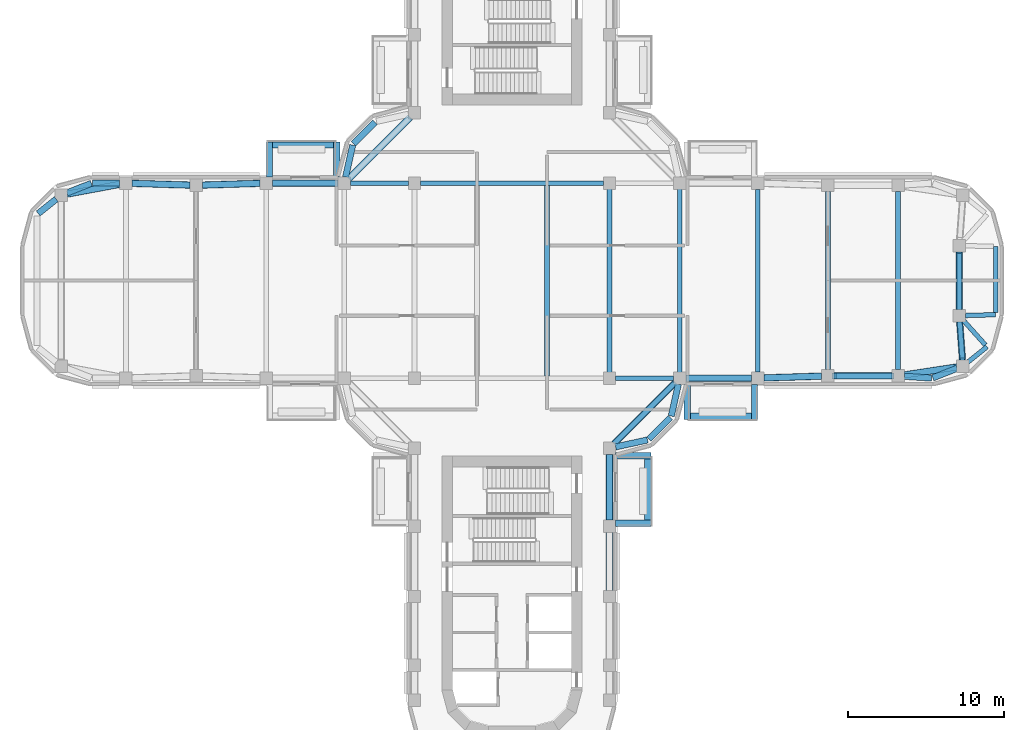
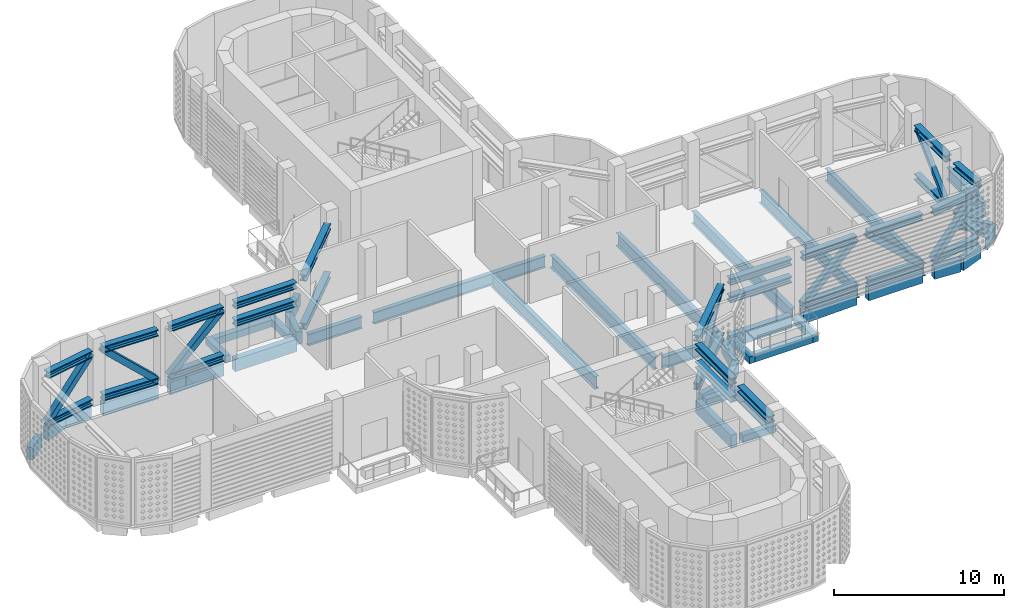
# One storey, part 2 of 21: 39 beams, 36 members.
"""IFC4 building model written with IfcOpenShell, lengths in metres."""

from ifc_helpers import new_model, si_unit, direction, frame, origin, origin_2d, place, context, subcontext, project, spatial, rectangle, hollow_rectangle, i_section, extrude, material, material_profile, profile_set, type_object, element, save


model = new_model("IFC4")

# Units and contexts
model_context = context("Model", 3, precision=1e-05, world=origin(), true_north=direction((0.0, 1.0)))
body_context = subcontext(model_context, "Body", "Model", "MODEL_VIEW")
ifc_project = project(units=[si_unit("LENGTHUNIT", "METRE"), si_unit("AREAUNIT", "SQUARE_METRE"), si_unit("VOLUMEUNIT", "CUBIC_METRE"), si_unit("PLANEANGLEUNIT", "RADIAN"), si_unit("MASSUNIT", "GRAM", prefix="KILO")], contexts=[model_context])

# Site, building, storey
site_placement = place(None, origin())
site = spatial("IfcSite", under=ifc_project, at=site_placement, CompositionType="ELEMENT")
building_placement = place(site_placement, origin())
building = spatial("IfcBuilding", under=site, at=building_placement, Name="Zarbagh Exchange Tower", CompositionType="ELEMENT")
storey_placement = place(building_placement, frame((0.0, 0.0, 190.39990234375)))
storey = spatial("IfcBuildingStorey", under=building, at=storey_placement, Name="L46", CompositionType="ELEMENT", Elevation=190.39990234375)

# Members
ifc_material_1 = material(Name="Steel ASTM A992 Gr 50", Category="steel")
ifc_material_profile_1 = material_profile(ifc_material_1, i_section(OverallWidth=0.41650390625, OverallDepth=0.444580078125, WebThickness=0.0390625, FlangeThickness=0.062744140625, at=origin_2d()), Name="W14X342")
ifc_profile_set_1 = profile_set([ifc_material_profile_1], Name="Steel ASTM A992 Gr 50")
member_type_1 = type_object("IfcMemberType", Name="Belt truss chord W14X342", PredefinedType="CHORD", material=ifc_profile_set_1)
for number, where, z_axis, x_axis, name in (
    (1, (-10.46728515625, 6.53271484375, 0.222412109375), (0.707106781187, 0.707106781187, 0.0), (-0.707106781187, 0.707106781187, 0.0), "Belt truss chord"),
    (2, (-10.46728515625, 6.53271484375, 3.7080078125), (0.707106781187, 0.707106781187, 0.0), (-0.707106781187, 0.707106781187, 0.0), "Belt truss chord"),
):
    element("IfcMember", number, at=place(storey_placement, frame(where, z_axis=z_axis, x_axis=x_axis)), inside=storey, type_object=member_type_1, Name=name, PredefinedType="CHORD", context=body_context, shape_type="SweptSolid", body=[
        extrude(i_section(OverallWidth=0.41650390625, OverallDepth=0.444580078125, WebThickness=0.0390625, FlangeThickness=0.062744140625, at=origin_2d()), origin(), (0.0, 0.0, 1.0), 5.564208984375),
    ])
for number, where, z_axis, x_axis, name in (
    (3, (28.669921875, 1.85009765625, 0.222412109375), (0.0, -1.0, 0.0), (1.0, 0.0, 0.0), "Belt truss chord"),
    (4, (28.669921875, 1.85009765625, 3.7080078125), (0.0, -1.0, 0.0), (1.0, 0.0, 0.0), "Belt truss chord"),
):
    element("IfcMember", number, at=place(storey_placement, frame(where, z_axis=z_axis, x_axis=x_axis)), inside=storey, type_object=member_type_1, Name=name, PredefinedType="CHORD", context=body_context, shape_type="SweptSolid", body=[
        extrude(i_section(OverallWidth=0.41650390625, OverallDepth=0.444580078125, WebThickness=0.0390625, FlangeThickness=0.062744140625, at=origin_2d()), origin(), (0.0, 0.0, 1.0), 3.7001953125),
    ])
for number, where, z_axis, x_axis, name in (
    (5, (28.699462890625, -2.64892578125, 0.222412109375), (0.073627818238, -0.997285788719, 0.0), (0.997285788719, 0.073627818238, 0.0), "Belt truss chord"),
    (6, (28.699462890625, -2.64892578125, 3.7080078125), (0.073627818238, -0.997285788719, 0.0), (0.997285788719, 0.073627818238, 0.0), "Belt truss chord"),
):
    element("IfcMember", number, at=place(storey_placement, frame(where, z_axis=z_axis, x_axis=x_axis)), inside=storey, type_object=member_type_1, Name=name, PredefinedType="CHORD", context=body_context, shape_type="SweptSolid", body=[
        extrude(i_section(OverallWidth=0.41650390625, OverallDepth=0.444580078125, WebThickness=0.0390625, FlangeThickness=0.062744140625, at=origin_2d()), origin(), (0.0, 0.0, 1.0), 2.433837890625),
    ])
for number, where, z_axis, x_axis, name in (
    (7, (10.46728515625, -6.53271484375, 0.222412109375), (-0.707106781187, -0.707106781187, 0.0), (0.707106781187, -0.707106781187, 0.0), "Belt truss chord"),
    (8, (10.46728515625, -6.53271484375, 3.7080078125), (-0.707106781187, -0.707106781187, 0.0), (0.707106781187, -0.707106781187, 0.0), "Belt truss chord"),
):
    element("IfcMember", number, at=place(storey_placement, frame(where, z_axis=z_axis, x_axis=x_axis)), inside=storey, type_object=member_type_1, Name=name, PredefinedType="CHORD", context=body_context, shape_type="SweptSolid", body=[
        extrude(i_section(OverallWidth=0.41650390625, OverallDepth=0.444580078125, WebThickness=0.0390625, FlangeThickness=0.062744140625, at=origin_2d()), origin(), (0.0, 0.0, 1.0), 5.564208984375),
    ])
ifc_material_2 = material(Name="Steel ASTM A500 Gr C", Category="steel")
ifc_material_profile_2 = material_profile(ifc_material_2, hollow_rectangle(XDim=0.3046875, YDim=0.3046875, WallThickness=0.014892578125, at=origin_2d()), Name="HSS12X12X5/8")
ifc_profile_set_2 = profile_set([ifc_material_profile_2], Name="Steel ASTM A500 Gr C")
member_type_2 = type_object("IfcMemberType", Name="Belt truss diagonal HSS12X12X5/8", PredefinedType="BRACE", material=ifc_profile_set_2)
member_1_placement = place(storey_placement, frame((28.669921875, -1.85009765625, 0.222412109375), z_axis=(0.0, 0.72789959883, 0.685683727401), x_axis=(-1.0, 0.0, 0.0)))
element("IfcMember", 9, at=member_1_placement, inside=storey, type_object=member_type_2, Name="Belt truss diagonal", PredefinedType="BRACE", context=body_context, shape_type="SweptSolid", body=[
    extrude(hollow_rectangle(XDim=0.3046875, YDim=0.3046875, WallThickness=0.014892578125, at=origin_2d()), origin(), (0.0, 0.0, 1.0), 5.08349609375),
])
member_2_placement = place(storey_placement, frame((28.699462890625, -2.64892578125, 0.222412109375), z_axis=(0.042152256381, -0.57095058984, 0.819901586316), x_axis=(0.997285788719, 0.073627818238, 0.0)))
element("IfcMember", 10, at=member_2_placement, inside=storey, type_object=member_type_2, Name="Belt truss diagonal", PredefinedType="BRACE", context=body_context, shape_type="SweptSolid", body=[
    extrude(hollow_rectangle(XDim=0.3046875, YDim=0.3046875, WallThickness=0.014892578125, at=origin_2d()), origin(), (0.0, 0.0, 1.0), 4.251220703125),
])
member_3_placement = place(storey_placement, frame((6.53271484375, -10.46728515625, 0.222412109375), z_axis=(0.599242955727, 0.599242955727, 0.530863221576), x_axis=(-0.707106781187, 0.707106781187, 0.0)))
element("IfcMember", 11, at=member_3_placement, inside=storey, type_object=member_type_2, Name="Belt truss diagonal", PredefinedType="BRACE", context=body_context, shape_type="SweptSolid", body=[
    extrude(hollow_rectangle(XDim=0.3046875, YDim=0.3046875, WallThickness=0.014892578125, at=origin_2d()), origin(), (0.0, 0.0, 1.0), 6.56591796875),
])

# Beams
ifc_material_profile_3 = material_profile(ifc_material_1, i_section(OverallWidth=0.3046875, OverallDepth=0.904296875, WebThickness=0.01513671875, FlangeThickness=0.02001953125, at=origin_2d()), Name="W36X135")
ifc_profile_set_3 = profile_set([ifc_material_profile_3], Name="Steel ASTM A992 Gr 50")
beam_type_1 = type_object("IfcBeamType", Name="Floor beam W36X135", PredefinedType="BEAM", material=ifc_profile_set_3)
for number, where, z_axis, x_axis, name in (
    (12, (2.25, -6.10400390625, -0.60205078125), (0.0, 1.0, 0.0), (-1.0, 0.0, 0.0), "Steel floor beam"),
    (13, (6.25, -6.10400390625, -0.60205078125), (0.0, 1.0, 0.0), (-1.0, 0.0, 0.0), "Steel floor beam"),
    (14, (10.75, -6.10400390625, -0.60205078125), (0.0, 1.0, 0.0), (-1.0, 0.0, 0.0), "Steel floor beam"),
):
    element("IfcBeam", number, at=place(storey_placement, frame(where, z_axis=z_axis, x_axis=x_axis)), inside=storey, type_object=beam_type_1, Name=name, PredefinedType="BEAM", context=body_context, shape_type="SweptSolid", body=[
        extrude(i_section(OverallWidth=0.3046875, OverallDepth=0.904296875, WebThickness=0.01513671875, FlangeThickness=0.02001953125, at=origin_2d()), origin(), (0.0, 0.0, 1.0), 12.2080078125),
    ])
beam_1_placement = place(storey_placement, frame((15.75, -5.85009765625, -0.60205078125), z_axis=(0.0, 1.0, 0.0), x_axis=(-1.0, 0.0, 0.0)))
element("IfcBeam", 15, at=beam_1_placement, inside=storey, type_object=beam_type_1, Name="Steel floor beam", PredefinedType="BEAM", context=body_context, shape_type="SweptSolid", body=[
    extrude(i_section(OverallWidth=0.3046875, OverallDepth=0.904296875, WebThickness=0.01513671875, FlangeThickness=0.02001953125, at=origin_2d()), origin(), (0.0, 0.0, 1.0), 11.7001953125),
])
for number, where, z_axis, x_axis, name in (
    (16, (20.25, -5.7099609375, -0.60205078125), (0.0, 1.0, 0.0), (-1.0, 0.0, 0.0), "Steel floor beam"),
    (17, (24.75, -5.7099609375, -0.60205078125), (0.0, 1.0, 0.0), (-1.0, 0.0, 0.0), "Steel floor beam"),
):
    element("IfcBeam", number, at=place(storey_placement, frame(where, z_axis=z_axis, x_axis=x_axis)), inside=storey, type_object=beam_type_1, Name=name, PredefinedType="BEAM", context=body_context, shape_type="SweptSolid", body=[
        extrude(i_section(OverallWidth=0.3046875, OverallDepth=0.904296875, WebThickness=0.01513671875, FlangeThickness=0.02001953125, at=origin_2d()), origin(), (0.0, 0.0, 1.0), 11.419921875),
    ])
ifc_material_profile_4 = material_profile(ifc_material_1, i_section(OverallWidth=0.2919921875, OverallDepth=0.835693359375, WebThickness=0.013916015625, FlangeThickness=0.018798828125, at=origin_2d()), Name="W33X118")
ifc_profile_set_4 = profile_set([ifc_material_profile_4], Name="Steel ASTM A992 Gr 50")
beam_type_2 = type_object("IfcBeamType", Name="Floor girder W33X118", PredefinedType="BEAM", material=ifc_profile_set_4)
beam_2_placement = place(storey_placement, frame((31.0, 2.18408203125, -0.567626953125), z_axis=(0.0, -1.0, 0.0), x_axis=(1.0, 0.0, 0.0)))
element("IfcBeam", 18, at=beam_2_placement, inside=storey, type_object=beam_type_2, Name="Steel girder", PredefinedType="BEAM", context=body_context, shape_type="SweptSolid", body=[
    extrude(i_section(OverallWidth=0.2919921875, OverallDepth=0.835693359375, WebThickness=0.013916015625, FlangeThickness=0.018798828125, at=origin_2d()), origin(), (0.0, 0.0, 1.0), 4.226318359375),
])
beam_3_placement = place(storey_placement, frame((31.0, -2.18408203125, -0.567626953125), z_axis=(-0.999598864551, -0.028321546377, 0.0), x_axis=(0.028321546377, -0.999598864551, 0.0)))
element("IfcBeam", 19, at=beam_3_placement, inside=storey, type_object=beam_type_2, Name="Steel girder", PredefinedType="BEAM", context=body_context, shape_type="SweptSolid", body=[
    extrude(i_section(OverallWidth=0.2919921875, OverallDepth=0.835693359375, WebThickness=0.013916015625, FlangeThickness=0.018798828125, at=origin_2d()), origin(), (0.0, 0.0, 1.0), 1.930908203125),
])
beam_4_placement = place(storey_placement, frame((28.9365234375, -2.54833984375, -0.567626953125), z_axis=(0.666238158503, -0.745739040251, 0.0), x_axis=(0.745739040251, 0.666238158503, 0.0)))
element("IfcBeam", 20, at=beam_4_placement, inside=storey, type_object=beam_type_2, Name="Steel girder", PredefinedType="BEAM", context=body_context, shape_type="SweptSolid", body=[
    extrude(i_section(OverallWidth=0.2919921875, OverallDepth=0.835693359375, WebThickness=0.013916015625, FlangeThickness=0.018798828125, at=origin_2d()), origin(), (0.0, 0.0, 1.0), 2.115966796875),
])
beam_5_placement = place(storey_placement, frame((30.44873046875, -4.2412109375, -0.567626953125), z_axis=(-0.780535770033, -0.625111119482, 0.0), x_axis=(0.625111119482, -0.780535770033, 0.0)))
element("IfcBeam", 21, at=beam_5_placement, inside=storey, type_object=beam_type_2, Name="Steel girder", PredefinedType="BEAM", context=body_context, shape_type="SweptSolid", body=[
    extrude(i_section(OverallWidth=0.2919921875, OverallDepth=0.835693359375, WebThickness=0.013916015625, FlangeThickness=0.018798828125, at=origin_2d()), origin(), (0.0, 0.0, 1.0), 1.573974609375),
])
beam_6_placement = place(storey_placement, frame((-10.35009765625, 6.25, -0.567626953125), z_axis=(1.0, 0.0, 0.0), x_axis=(0.0, 1.0, 0.0)))
element("IfcBeam", 22, at=beam_6_placement, inside=storey, type_object=beam_type_2, Name="Steel girder", PredefinedType="BEAM", context=body_context, shape_type="SweptSolid", body=[
    extrude(i_section(OverallWidth=0.2919921875, OverallDepth=0.835693359375, WebThickness=0.013916015625, FlangeThickness=0.018798828125, at=origin_2d()), origin(), (0.0, 0.0, 1.0), 3.7001953125),
])
beam_7_placement = place(storey_placement, frame((-5.85009765625, 6.25, -0.567626953125), z_axis=(1.0, 0.0, 0.0), x_axis=(0.0, 1.0, 0.0)))
element("IfcBeam", 23, at=beam_7_placement, inside=storey, type_object=beam_type_2, Name="Steel girder", PredefinedType="BEAM", context=body_context, shape_type="SweptSolid", body=[
    extrude(i_section(OverallWidth=0.2919921875, OverallDepth=0.835693359375, WebThickness=0.013916015625, FlangeThickness=0.018798828125, at=origin_2d()), origin(), (0.0, 0.0, 1.0), 11.7001953125),
])
beam_8_placement = place(storey_placement, frame((6.64990234375, -6.25, -0.567626953125), z_axis=(1.0, 0.0, 0.0), x_axis=(0.0, 1.0, 0.0)))
element("IfcBeam", 24, at=beam_8_placement, inside=storey, type_object=beam_type_2, Name="Steel girder", PredefinedType="BEAM", context=body_context, shape_type="SweptSolid", body=[
    extrude(i_section(OverallWidth=0.2919921875, OverallDepth=0.835693359375, WebThickness=0.013916015625, FlangeThickness=0.018798828125, at=origin_2d()), origin(), (0.0, 0.0, 1.0), 3.7001953125),
])

# Members
ifc_material_profile_5 = material_profile(ifc_material_1, i_section(OverallWidth=0.421630859375, OverallDepth=0.46484375, WebThickness=0.044921875, FlangeThickness=0.072509765625, at=origin_2d()), Name="W14X398")
ifc_profile_set_5 = profile_set([ifc_material_profile_5], Name="Steel ASTM A992 Gr 50")
member_type_3 = type_object("IfcMemberType", Name="Outrigger truss chord W14X398", PredefinedType="CHORD", material=ifc_profile_set_5)
for number, where, z_axis, x_axis, name in (
    (25, (-28.514892578125, 5.54833984375, 0.232421875), (0.983069862768, 0.183231124313, 0.0), (-0.183231124313, 0.983069862768, 0.0), "Outrigger truss chord"),
    (26, (-28.514892578125, 5.54833984375, 3.69775390625), (0.983069862768, 0.183231124313, 0.0), (-0.183231124313, 0.983069862768, 0.0), "Outrigger truss chord"),
):
    element("IfcMember", number, at=place(storey_placement, frame(where, z_axis=z_axis, x_axis=x_axis)), inside=storey, type_object=member_type_3, Name=name, PredefinedType="CHORD", context=body_context, shape_type="SweptSolid", body=[
        extrude(i_section(OverallWidth=0.421630859375, OverallDepth=0.46484375, WebThickness=0.044921875, FlangeThickness=0.072509765625, at=origin_2d()), origin(), (0.0, 0.0, 1.0), 3.4296875),
    ])
for number, where, z_axis, x_axis, name in (
    (27, (-24.35009765625, 6.237548828125, 0.232421875), (0.999515416033, -0.031127690444, 0.0), (0.031127690444, 0.999515416033, 0.0), "Outrigger truss chord"),
    (28, (-24.35009765625, 6.237548828125, 3.69775390625), (0.999515416033, -0.031127690444, 0.0), (0.031127690444, 0.999515416033, 0.0), "Outrigger truss chord"),
    (29, (-19.85009765625, 6.122314453125, 0.232421875), (0.999515416033, 0.031127690444, 0.0), (-0.031127690444, 0.999515416033, 0.0), "Outrigger truss chord"),
    (30, (-19.85009765625, 6.122314453125, 3.69775390625), (0.999515416033, 0.031127690444, 0.0), (-0.031127690444, 0.999515416033, 0.0), "Outrigger truss chord"),
):
    element("IfcMember", number, at=place(storey_placement, frame(where, z_axis=z_axis, x_axis=x_axis)), inside=storey, type_object=member_type_3, Name=name, PredefinedType="CHORD", context=body_context, shape_type="SweptSolid", body=[
        extrude(i_section(OverallWidth=0.421630859375, OverallDepth=0.46484375, WebThickness=0.044921875, FlangeThickness=0.072509765625, at=origin_2d()), origin(), (0.0, 0.0, 1.0), 3.701904296875),
    ])
for number, where, z_axis, x_axis, name in (
    (31, (-15.35009765625, 6.25, 2.4326171875), (1.0, 0.0, 0.0), (0.0, 1.0, 0.0), "Outrigger truss chord"),
    (32, (-15.35009765625, 6.25, 3.69775390625), (1.0, 0.0, 0.0), (0.0, 1.0, 0.0), "Outrigger truss chord"),
):
    element("IfcMember", number, at=place(storey_placement, frame(where, z_axis=z_axis, x_axis=x_axis)), inside=storey, type_object=member_type_3, Name=name, PredefinedType="CHORD", context=body_context, shape_type="SweptSolid", body=[
        extrude(i_section(OverallWidth=0.421630859375, OverallDepth=0.46484375, WebThickness=0.044921875, FlangeThickness=0.072509765625, at=origin_2d()), origin(), (0.0, 0.0, 1.0), 4.2001953125),
    ])
for number, where, z_axis, x_axis, name in (
    (33, (28.5126953125, -5.535400390625, 0.232421875), (-0.988541769149, -0.150947575829, 0.0), (0.150947575829, -0.988541769149, 0.0), "Outrigger truss chord"),
    (34, (28.5126953125, -5.535400390625, 3.69775390625), (-0.988541769149, -0.150947575829, 0.0), (0.150947575829, -0.988541769149, 0.0), "Outrigger truss chord"),
):
    element("IfcMember", number, at=place(storey_placement, frame(where, z_axis=z_axis, x_axis=x_axis)), inside=storey, type_object=member_type_3, Name=name, PredefinedType="CHORD", context=body_context, shape_type="SweptSolid", body=[
        extrude(i_section(OverallWidth=0.421630859375, OverallDepth=0.46484375, WebThickness=0.044921875, FlangeThickness=0.072509765625, at=origin_2d()), origin(), (0.0, 0.0, 1.0), 3.40625),
    ])
for number, where, z_axis, x_axis, name in (
    (35, (24.35009765625, -6.110107421875, 0.232421875), (-1.0, 0.0, 0.0), (0.0, -1.0, 0.0), "Outrigger truss chord"),
    (36, (24.35009765625, -6.110107421875, 3.69775390625), (-1.0, 0.0, 0.0), (0.0, -1.0, 0.0), "Outrigger truss chord"),
):
    element("IfcMember", number, at=place(storey_placement, frame(where, z_axis=z_axis, x_axis=x_axis)), inside=storey, type_object=member_type_3, Name=name, PredefinedType="CHORD", context=body_context, shape_type="SweptSolid", body=[
        extrude(i_section(OverallWidth=0.421630859375, OverallDepth=0.46484375, WebThickness=0.044921875, FlangeThickness=0.072509765625, at=origin_2d()), origin(), (0.0, 0.0, 1.0), 3.7001953125),
    ])
for number, where, z_axis, x_axis, name in (
    (37, (19.85009765625, -6.122314453125, 0.232421875), (-0.999515416033, -0.031127690444, 0.0), (0.031127690444, -0.999515416033, 0.0), "Outrigger truss chord"),
    (38, (19.85009765625, -6.122314453125, 3.69775390625), (-0.999515416033, -0.031127690444, 0.0), (0.031127690444, -0.999515416033, 0.0), "Outrigger truss chord"),
):
    element("IfcMember", number, at=place(storey_placement, frame(where, z_axis=z_axis, x_axis=x_axis)), inside=storey, type_object=member_type_3, Name=name, PredefinedType="CHORD", context=body_context, shape_type="SweptSolid", body=[
        extrude(i_section(OverallWidth=0.421630859375, OverallDepth=0.46484375, WebThickness=0.044921875, FlangeThickness=0.072509765625, at=origin_2d()), origin(), (0.0, 0.0, 1.0), 3.701904296875),
    ])
for number, where, z_axis, x_axis, name in (
    (39, (15.35009765625, -6.25, 2.4326171875), (-1.0, 0.0, 0.0), (0.0, -1.0, 0.0), "Outrigger truss chord"),
    (40, (15.35009765625, -6.25, 3.69775390625), (-1.0, 0.0, 0.0), (0.0, -1.0, 0.0), "Outrigger truss chord"),
    (41, (6.25, -11.14990234375, 2.4326171875), (0.0, -1.0, 0.0), (1.0, 0.0, 0.0), "Outrigger truss chord"),
    (42, (6.25, -11.14990234375, 3.69775390625), (0.0, -1.0, 0.0), (1.0, 0.0, 0.0), "Outrigger truss chord"),
):
    element("IfcMember", number, at=place(storey_placement, frame(where, z_axis=z_axis, x_axis=x_axis)), inside=storey, type_object=member_type_3, Name=name, PredefinedType="CHORD", context=body_context, shape_type="SweptSolid", body=[
        extrude(i_section(OverallWidth=0.421630859375, OverallDepth=0.46484375, WebThickness=0.044921875, FlangeThickness=0.072509765625, at=origin_2d()), origin(), (0.0, 0.0, 1.0), 4.2001953125),
    ])
member_4_placement = place(storey_placement, frame((6.25, -16.14990234375, 3.69775390625), z_axis=(0.0, -1.0, 0.0), x_axis=(1.0, 0.0, 0.0)))
element("IfcMember", 43, at=member_4_placement, inside=storey, type_object=member_type_3, Name="Outrigger truss chord", PredefinedType="CHORD", context=body_context, shape_type="SweptSolid", body=[
    extrude(i_section(OverallWidth=0.421630859375, OverallDepth=0.46484375, WebThickness=0.044921875, FlangeThickness=0.072509765625, at=origin_2d()), origin(), (0.0, 0.0, 1.0), 3.7001953125),
])
ifc_material_profile_6 = material_profile(ifc_material_2, hollow_rectangle(XDim=0.406494140625, YDim=0.406494140625, WallThickness=0.017578125, at=origin_2d()), Name="HSS16X16X3/4")
ifc_profile_set_6 = profile_set([ifc_material_profile_6], Name="Steel ASTM A500 Gr C")
member_type_4 = type_object("IfcMemberType", Name="Outrigger truss diagonal HSS16X16X3/4", PredefinedType="BRACE", material=ifc_profile_set_6)
member_5_placement = place(storey_placement, frame((-28.514892578125, 5.54833984375, 0.232421875), z_axis=(0.691528365414, 0.128891673612, 0.710756960079), x_axis=(-0.183231124313, 0.983069862768, 0.0)))
element("IfcMember", 44, at=member_5_placement, inside=storey, type_object=member_type_4, Name="Outrigger truss diagonal", PredefinedType="BRACE", context=body_context, shape_type="SweptSolid", body=[
    extrude(hollow_rectangle(XDim=0.406494140625, YDim=0.406494140625, WallThickness=0.017578125, at=origin_2d()), origin(), (0.0, 0.0, 1.0), 4.87548828125),
])
for number, where, z_axis, x_axis, name in (
    (45, (-20.64990234375, 6.122314453125, 0.232421875), (-0.72970304596, 0.022724982693, 0.683386449879), (-0.031127690444, -0.999515416033, 0.0), "Outrigger truss diagonal"),
    (46, (-19.85009765625, 6.122314453125, 0.232421875), (0.72970304596, 0.022724982693, 0.683386449879), (-0.031127690444, 0.999515416033, 0.0), "Outrigger truss diagonal"),
):
    element("IfcMember", number, at=place(storey_placement, frame(where, z_axis=z_axis, x_axis=x_axis)), inside=storey, type_object=member_type_4, Name=name, PredefinedType="BRACE", context=body_context, shape_type="SweptSolid", body=[
        extrude(hollow_rectangle(XDim=0.406494140625, YDim=0.406494140625, WallThickness=0.017578125, at=origin_2d()), origin(), (0.0, 0.0, 1.0), 5.07080078125),
    ])
member_6_placement = place(storey_placement, frame((25.1455078125, -6.049560546875, 0.232421875), z_axis=(0.692965472325, 0.105813898254, 0.713163566864), x_axis=(-0.150947575829, 0.988541769149, 0.0)))
element("IfcMember", 47, at=member_6_placement, inside=storey, type_object=member_type_4, Name="Outrigger truss diagonal", PredefinedType="BRACE", context=body_context, shape_type="SweptSolid", body=[
    extrude(hollow_rectangle(XDim=0.406494140625, YDim=0.406494140625, WallThickness=0.017578125, at=origin_2d()), origin(), (0.0, 0.0, 1.0), 4.859130859375),
])
member_7_placement = place(storey_placement, frame((24.35009765625, -6.110107421875, 0.232421875), z_axis=(-0.729891537359, 0.0, 0.683562977122), x_axis=(0.0, -1.0, 0.0)))
element("IfcMember", 48, at=member_7_placement, inside=storey, type_object=member_type_4, Name="Outrigger truss diagonal", PredefinedType="BRACE", context=body_context, shape_type="SweptSolid", body=[
    extrude(hollow_rectangle(XDim=0.406494140625, YDim=0.406494140625, WallThickness=0.017578125, at=origin_2d()), origin(), (0.0, 0.0, 1.0), 5.069580078125),
])
member_8_placement = place(storey_placement, frame((16.14990234375, -6.237548828125, 0.232421875), z_axis=(0.72970304596, 0.022724982693, 0.683386449879), x_axis=(-0.031127690444, 0.999515416033, 0.0)))
element("IfcMember", 49, at=member_8_placement, inside=storey, type_object=member_type_4, Name="Outrigger truss diagonal", PredefinedType="BRACE", context=body_context, shape_type="SweptSolid", body=[
    extrude(hollow_rectangle(XDim=0.406494140625, YDim=0.406494140625, WallThickness=0.017578125, at=origin_2d()), origin(), (0.0, 0.0, 1.0), 5.07080078125),
])

# Beams
ifc_material_3 = material(Name="Concrete C40/50", Category="concrete")
ifc_material_profile_7 = material_profile(ifc_material_3, rectangle(XDim=0.39990234375, YDim=0.5, at=origin_2d()), Name="RC bay edge beam 400 x 500 C40/50")
ifc_profile_set_7 = profile_set([ifc_material_profile_7], Name="Concrete C40/50")
beam_type_3 = type_object("IfcBeamType", Name="RC bay edge beam 400 x 500 C40/50", PredefinedType="BEAM", material=ifc_profile_set_7)
for number, where, z_axis, x_axis, name in (
    (50, (8.699951171875, -15.35009765625, -0.39990234375), (0.0, 1.0, 0.0), (-1.0, 0.0, 0.0), "RC bay edge beam"),
    (51, (11.429931640625, -8.699951171875, -0.39990234375), (1.0, 0.0, 0.0), (0.0, 1.0, 0.0), "RC bay edge beam"),
    (52, (-15.35009765625, 8.699951171875, -0.39990234375), (1.0, 0.0, 0.0), (0.0, 1.0, 0.0), "RC bay edge beam"),
):
    element("IfcBeam", number, at=place(storey_placement, frame(where, z_axis=z_axis, x_axis=x_axis)), inside=storey, type_object=beam_type_3, Name=name, PredefinedType="BEAM", context=body_context, shape_type="SweptSolid", body=[
        extrude(rectangle(XDim=0.39990234375, YDim=0.5, at=origin_2d()), origin(), (0.0, 0.0, 1.0), 3.920166015625),
    ])
ifc_material_profile_8 = material_profile(ifc_material_3, rectangle(XDim=0.39990234375, YDim=0.5, at=origin_2d()), Name="RC cantilever beam 400 x 500 C40/50")
ifc_profile_set_8 = profile_set([ifc_material_profile_8], Name="Concrete C40/50")
beam_type_4 = type_object("IfcBeamType", Name="RC cantilever beam 400 x 500 C40/50", PredefinedType="BEAM", material=ifc_profile_set_8)
for number, where, z_axis, x_axis, name in (
    (53, (6.64990234375, -15.550048828125, -0.39990234375), (1.0, 0.0, 0.0), (0.0, 1.0, 0.0), "RC cantilever beam"),
    (54, (6.64990234375, -11.22998046875, -0.39990234375), (1.0, 0.0, 0.0), (0.0, 1.0, 0.0), "RC cantilever beam"),
    (55, (11.22998046875, -6.64990234375, -0.39990234375), (0.0, -1.0, 0.0), (1.0, 0.0, 0.0), "RC cantilever beam"),
    (56, (15.550048828125, -6.64990234375, -0.39990234375), (0.0, -1.0, 0.0), (1.0, 0.0, 0.0), "RC cantilever beam"),
    (57, (-15.550048828125, 6.64990234375, -0.39990234375), (0.0, 1.0, 0.0), (-1.0, 0.0, 0.0), "RC cantilever beam"),
    (58, (-11.22998046875, 6.64990234375, -0.39990234375), (0.0, 1.0, 0.0), (-1.0, 0.0, 0.0), "RC cantilever beam"),
):
    element("IfcBeam", number, at=place(storey_placement, frame(where, z_axis=z_axis, x_axis=x_axis)), inside=storey, type_object=beam_type_4, Name=name, PredefinedType="BEAM", context=body_context, shape_type="SweptSolid", body=[
        extrude(rectangle(XDim=0.39990234375, YDim=0.5, at=origin_2d()), origin(), (0.0, 0.0, 1.0), 2.25),
    ])
ifc_material_4 = material(Name="Concrete C50/60", Category="concrete")
ifc_material_profile_9 = material_profile(ifc_material_4, rectangle(XDim=0.39990234375, YDim=0.89990234375, at=origin_2d()), Name="RC spandrel beam 400 x 900 C50/60")
ifc_profile_set_9 = profile_set([ifc_material_profile_9], Name="Concrete C50/60")
beam_type_5 = type_object("IfcBeamType", Name="RC spandrel beam 400 x 900 C50/60", PredefinedType="SPANDREL", material=ifc_profile_set_9)
beam_9_placement = place(storey_placement, frame((-30.373779296875, 4.30126953125, -0.599853515625), z_axis=(0.780546373788, 0.625097879029, 0.0), x_axis=(-0.625097879029, 0.780546373788, 0.0)))
element("IfcBeam", 59, at=beam_9_placement, inside=storey, type_object=beam_type_5, Name="RC spandrel beam", PredefinedType="SPANDREL", context=body_context, shape_type="SweptSolid", body=[
    extrude(rectangle(XDim=0.39990234375, YDim=0.89990234375, at=origin_2d()), origin(), (0.0, 0.0, 1.0), 1.477783203125),
])
beam_10_placement = place(storey_placement, frame((-28.53564453125, 5.62109375, -0.599853515625), z_axis=(0.930809681556, 0.365504222578, 0.0), x_axis=(-0.365504222578, 0.930809681556, 0.0)))
element("IfcBeam", 60, at=beam_10_placement, inside=storey, type_object=beam_type_5, Name="RC spandrel beam", PredefinedType="SPANDREL", context=body_context, shape_type="SweptSolid", body=[
    extrude(rectangle(XDim=0.39990234375, YDim=0.89990234375, at=origin_2d()), origin(), (0.0, 0.0, 1.0), 1.6826171875),
])
beam_11_placement = place(storey_placement, frame((-26.896240234375, 6.25, -0.599853515625), z_axis=(1.0, 0.0, 0.0), x_axis=(0.0, 1.0, 0.0)))
element("IfcBeam", 61, at=beam_11_placement, inside=storey, type_object=beam_type_5, Name="RC spandrel beam", PredefinedType="SPANDREL", context=body_context, shape_type="SweptSolid", body=[
    extrude(rectangle(XDim=0.39990234375, YDim=0.89990234375, at=origin_2d()), origin(), (0.0, 0.0, 1.0), 1.746337890625),
])
for number, where, z_axis, x_axis, name in (
    (62, (-24.35009765625, 6.237548828125, -0.599853515625), (0.999515416033, -0.031127690444, 0.0), (0.031127690444, 0.999515416033, 0.0), "RC spandrel beam"),
    (63, (-19.85009765625, 6.122314453125, -0.599853515625), (0.999515416033, 0.031127690444, 0.0), (-0.031127690444, 0.999515416033, 0.0), "RC spandrel beam"),
):
    element("IfcBeam", number, at=place(storey_placement, frame(where, z_axis=z_axis, x_axis=x_axis)), inside=storey, type_object=beam_type_5, Name=name, PredefinedType="SPANDREL", context=body_context, shape_type="SweptSolid", body=[
        extrude(rectangle(XDim=0.39990234375, YDim=0.89990234375, at=origin_2d()), origin(), (0.0, 0.0, 1.0), 3.701904296875),
    ])
beam_12_placement = place(storey_placement, frame((-15.35009765625, 6.25, -0.599853515625), z_axis=(1.0, 0.0, 0.0), x_axis=(0.0, 1.0, 0.0)))
element("IfcBeam", 64, at=beam_12_placement, inside=storey, type_object=beam_type_5, Name="RC spandrel beam", PredefinedType="SPANDREL", context=body_context, shape_type="SweptSolid", body=[
    extrude(rectangle(XDim=0.39990234375, YDim=0.89990234375, at=origin_2d()), origin(), (0.0, 0.0, 1.0), 4.2001953125),
])
beam_13_placement = place(storey_placement, frame((-10.66357421875, 6.640625, -0.599853515625), z_axis=(0.216041061437, 0.976384278741, 0.0), x_axis=(-0.976384278741, 0.216041061437, 0.0)))
element("IfcBeam", 65, at=beam_13_placement, inside=storey, type_object=beam_type_5, Name="RC spandrel beam", PredefinedType="SPANDREL", context=body_context, shape_type="SweptSolid", body=[
    extrude(rectangle(XDim=0.39990234375, YDim=0.89990234375, at=origin_2d()), origin(), (0.0, 0.0, 1.0), 2.0927734375),
])
beam_14_placement = place(storey_placement, frame((-10.15771484375, 8.782470703125, -0.599853515625), z_axis=(0.707106781187, 0.707106781187, 0.0), x_axis=(-0.707106781187, 0.707106781187, 0.0)))
element("IfcBeam", 66, at=beam_14_placement, inside=storey, type_object=beam_type_5, Name="RC spandrel beam", PredefinedType="SPANDREL", context=body_context, shape_type="SweptSolid", body=[
    extrude(rectangle(XDim=0.39990234375, YDim=0.89990234375, at=origin_2d()), origin(), (0.0, 0.0, 1.0), 1.94482421875),
])
beam_15_placement = place(storey_placement, frame((28.53564453125, -5.62109375, -0.599853515625), z_axis=(-0.930818758612, -0.36548110569, 0.0), x_axis=(0.36548110569, -0.930818758612, 0.0)))
element("IfcBeam", 67, at=beam_15_placement, inside=storey, type_object=beam_type_5, Name="RC spandrel beam", PredefinedType="SPANDREL", context=body_context, shape_type="SweptSolid", body=[
    extrude(rectangle(XDim=0.39990234375, YDim=0.89990234375, at=origin_2d()), origin(), (0.0, 0.0, 1.0), 1.676025390625),
])
beam_16_placement = place(storey_placement, frame((26.8896484375, -6.247314453125, -0.599853515625), z_axis=(-0.997942679773, 0.064112462805, 0.0), x_axis=(-0.064112462805, -0.997942679773, 0.0)))
element("IfcBeam", 68, at=beam_16_placement, inside=storey, type_object=beam_type_5, Name="RC spandrel beam", PredefinedType="SPANDREL", context=body_context, shape_type="SweptSolid", body=[
    extrude(rectangle(XDim=0.39990234375, YDim=0.89990234375, at=origin_2d()), origin(), (0.0, 0.0, 1.0), 1.744140625),
])
beam_17_placement = place(storey_placement, frame((24.35009765625, -6.110107421875, -0.599853515625), z_axis=(-1.0, 0.0, 0.0), x_axis=(0.0, -1.0, 0.0)))
element("IfcBeam", 69, at=beam_17_placement, inside=storey, type_object=beam_type_5, Name="RC spandrel beam", PredefinedType="SPANDREL", context=body_context, shape_type="SweptSolid", body=[
    extrude(rectangle(XDim=0.39990234375, YDim=0.89990234375, at=origin_2d()), origin(), (0.0, 0.0, 1.0), 3.7001953125),
])
beam_18_placement = place(storey_placement, frame((19.85009765625, -6.122314453125, -0.599853515625), z_axis=(-0.999515416033, -0.031127690444, 0.0), x_axis=(0.031127690444, -0.999515416033, 0.0)))
element("IfcBeam", 70, at=beam_18_placement, inside=storey, type_object=beam_type_5, Name="RC spandrel beam", PredefinedType="SPANDREL", context=body_context, shape_type="SweptSolid", body=[
    extrude(rectangle(XDim=0.39990234375, YDim=0.89990234375, at=origin_2d()), origin(), (0.0, 0.0, 1.0), 3.701904296875),
])
beam_19_placement = place(storey_placement, frame((15.35009765625, -6.25, -0.599853515625), z_axis=(-1.0, 0.0, 0.0), x_axis=(0.0, -1.0, 0.0)))
element("IfcBeam", 71, at=beam_19_placement, inside=storey, type_object=beam_type_5, Name="RC spandrel beam", PredefinedType="SPANDREL", context=body_context, shape_type="SweptSolid", body=[
    extrude(rectangle(XDim=0.39990234375, YDim=0.89990234375, at=origin_2d()), origin(), (0.0, 0.0, 1.0), 4.2001953125),
])
beam_20_placement = place(storey_placement, frame((10.66357421875, -6.640625, -0.599853515625), z_axis=(-0.216041061437, -0.976384278741, 0.0), x_axis=(0.976384278741, -0.216041061437, 0.0)))
element("IfcBeam", 72, at=beam_20_placement, inside=storey, type_object=beam_type_5, Name="RC spandrel beam", PredefinedType="SPANDREL", context=body_context, shape_type="SweptSolid", body=[
    extrude(rectangle(XDim=0.39990234375, YDim=0.89990234375, at=origin_2d()), origin(), (0.0, 0.0, 1.0), 2.0927734375),
])
beam_21_placement = place(storey_placement, frame((10.15771484375, -8.782470703125, -0.599853515625), z_axis=(-0.707106781187, -0.707106781187, 0.0), x_axis=(0.707106781187, -0.707106781187, 0.0)))
element("IfcBeam", 73, at=beam_21_placement, inside=storey, type_object=beam_type_5, Name="RC spandrel beam", PredefinedType="SPANDREL", context=body_context, shape_type="SweptSolid", body=[
    extrude(rectangle(XDim=0.39990234375, YDim=0.89990234375, at=origin_2d()), origin(), (0.0, 0.0, 1.0), 1.94482421875),
])
beam_22_placement = place(storey_placement, frame((8.68408203125, -10.21142578125, -0.599853515625), z_axis=(-0.976384278741, -0.216041061437, 0.0), x_axis=(0.216041061437, -0.976384278741, 0.0)))
element("IfcBeam", 74, at=beam_22_placement, inside=storey, type_object=beam_type_5, Name="RC spandrel beam", PredefinedType="SPANDREL", context=body_context, shape_type="SweptSolid", body=[
    extrude(rectangle(XDim=0.39990234375, YDim=0.89990234375, at=origin_2d()), origin(), (0.0, 0.0, 1.0), 2.0927734375),
])
beam_23_placement = place(storey_placement, frame((6.25, -11.14990234375, -0.599853515625), z_axis=(0.0, -1.0, 0.0), x_axis=(1.0, 0.0, 0.0)))
element("IfcBeam", 75, at=beam_23_placement, inside=storey, type_object=beam_type_5, Name="RC spandrel beam", PredefinedType="SPANDREL", context=body_context, shape_type="SweptSolid", body=[
    extrude(rectangle(XDim=0.39990234375, YDim=0.89990234375, at=origin_2d()), origin(), (0.0, 0.0, 1.0), 4.2001953125),
])

save(model, "model.ifc")
